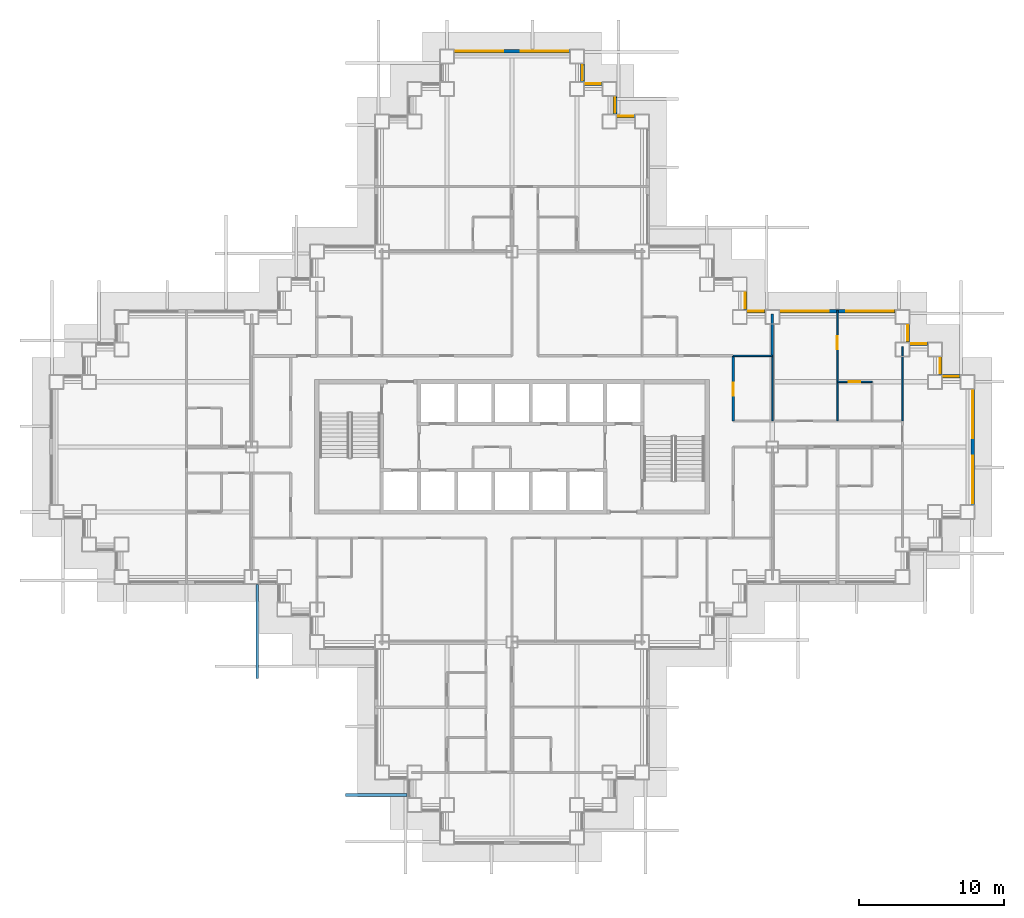
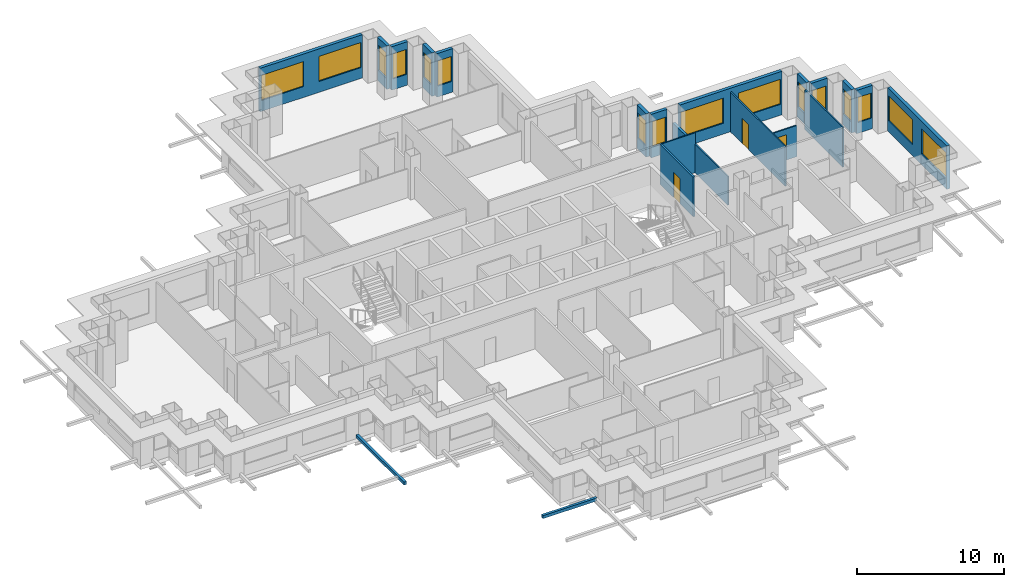
# One storey, part 9 of 15: 20 walls, 16 windows, 3 doors, 2 discrete accessories, 19 openings.
"""IFC4 building model written with IfcOpenShell, lengths in metres."""

from ifc_helpers import new_model, si_unit, direction, frame, frame_2d, origin, origin_2d, place, context, subcontext, project, spatial, rectangle, extrude, material, layer, layer_set, type_object, element, fill, save


model = new_model("IFC4")

# Units and contexts
model_context = context("Model", 3, precision=1e-05, world=origin(), true_north=direction((0.0, 1.0)))
body_context = subcontext(model_context, "Body", "Model", "MODEL_VIEW")
ifc_project = project(units=[si_unit("LENGTHUNIT", "METRE"), si_unit("AREAUNIT", "SQUARE_METRE"), si_unit("VOLUMEUNIT", "CUBIC_METRE"), si_unit("PLANEANGLEUNIT", "RADIAN"), si_unit("MASSUNIT", "GRAM", prefix="KILO")], contexts=[model_context])

# Site, building, storey
site_placement = place(None, origin())
site = spatial("IfcSite", under=ifc_project, at=site_placement, CompositionType="ELEMENT")
building_placement = place(site_placement, origin())
building = spatial("IfcBuilding", under=site, at=building_placement, Name="Caravel Reach Hotel and Residences", CompositionType="ELEMENT")
storey_placement = place(building_placement, frame((0.0, 0.0, 60.0)))
storey = spatial("IfcBuildingStorey", under=building, at=storey_placement, Name="L13", CompositionType="ELEMENT", Elevation=60.0)

# Wall, opening, door
ifc_material_1 = material(Name="Gypsum board on steel stud", Category="steel")
ifc_layer_1 = layer(ifc_material_1, 0.10009765625)
ifc_layer_set_1 = layer_set([ifc_layer_1], Name="Bathroom pod wall 100 mm")
wall_type_1 = type_object("IfcWallType", Name="Bathroom pod wall 100 mm", PredefinedType="PARTITIONING", material=ifc_layer_set_1)
wall_1_placement = place(storey_placement, frame((54.0, 31.5, 0.0), z_axis=(0.0, 0.0, 1.0), x_axis=(1.0, 0.0, 0.0)))
wall_1 = element("IfcWall", 1, at=wall_1_placement, inside=storey, type_object=wall_type_1, Name="L13 wall w081", PredefinedType="PARTITIONING", context=body_context, shape_type="SweptSolid", body=[
    extrude(rectangle(XDim=2.39990234375, YDim=0.10009765625, at=frame_2d((1.199951171875, 0.0))), origin(), (0.0, 0.0, 1.0), 2.580078125),
])
opening_1_placement = place(wall_1_placement, frame((0.800048828125, 0.0, 0.0)))
opening_1 = element("IfcOpeningElement", 2, at=opening_1_placement, cuts=wall_1, Name="Opening D13-025", PredefinedType="OPENING", context=body_context, shape_type="SweptSolid", body=[
    extrude(rectangle(XDim=0.800048828125, YDim=2.10009765625, at=frame_2d((0.39990234375, 1.050048828125))), frame((0.0, 0.06005859375, 0.0), z_axis=(0.0, -1.0, 0.0), x_axis=(1.0, 0.0, 0.0)), (0.0, 0.0, 1.0), 0.1201171875),
])
ifc_material_2 = material(Name="Timber and steel door leaf", Category="steel")
door_type_1 = type_object("IfcDoorType", Name="Bathroom door 800 x 2100", OperationType="SINGLE_SWING_LEFT", PredefinedType="DOOR", material=ifc_material_2)
door_1_placement = place(opening_1_placement, origin())
door_1 = element("IfcDoor", 3, at=door_1_placement, inside=storey, type_object=door_type_1, Name="door D13-025", OperationType="SINGLE_SWING_LEFT", OverallHeight=2.10009765625, OverallWidth=0.800048828125, PredefinedType="DOOR", context=body_context, shape_type="SweptSolid", body=[
    extrude(rectangle(XDim=0.800048828125, YDim=2.10009765625, at=frame_2d((0.39990234375, 1.050048828125))), frame((0.0, 0.02490234375, 0.0), z_axis=(0.0, -1.0, 0.0), x_axis=(1.0, 0.0, 0.0)), (0.0, 0.0, 1.0), 0.050048828125),
])
fill(opening_1, door_1)

ifc_material_3 = material(Name="Gypsum board on steel stud, fire-rated", Category="steel")
ifc_layer_2 = layer(ifc_material_3, 0.14990234375)
ifc_layer_set_2 = layer_set([ifc_layer_2], Name="Corridor wall 150 mm EI 60")
wall_type_2 = type_object("IfcWallType", Name="Corridor wall 150 mm EI 60", PredefinedType="PARTITIONING", material=ifc_layer_set_2)
wall_2_placement = place(storey_placement, frame((46.800048828125, 28.800048828125, 0.0), z_axis=(0.0, 0.0, 1.0), x_axis=(0.0, 1.0, 0.0)))
wall_2 = element("IfcWall", 4, at=wall_2_placement, inside=storey, type_object=wall_type_2, Name="L13 wall w036", PredefinedType="PARTITIONING", context=body_context, shape_type="SweptSolid", body=[
    extrude(rectangle(XDim=4.5, YDim=0.14990234375, at=frame_2d((2.25, 0.0))), origin(), (0.0, 0.0, 1.0), 3.300048828125),
])
opening_2_placement = place(wall_2_placement, frame((1.75, 0.0, 0.0)))
opening_2 = element("IfcOpeningElement", 5, at=opening_2_placement, cuts=wall_2, Name="Opening D13-060", PredefinedType="OPENING", context=body_context, shape_type="SweptSolid", body=[
    extrude(rectangle(XDim=0.89990234375, YDim=2.10009765625, at=frame_2d((0.449951171875, 1.050048828125))), frame((0.0, 0.0849609375, 0.0), z_axis=(0.0, -1.0, 0.0), x_axis=(1.0, 0.0, 0.0)), (0.0, 0.0, 1.0), 0.169921875),
])
ifc_material_4 = material(Name="Timber and steel door leaf", Category="steel")
door_type_2 = type_object("IfcDoorType", Name="Door 900 x 2100 timber", OperationType="SINGLE_SWING_LEFT", PredefinedType="DOOR", material=ifc_material_4)
door_2_placement = place(opening_2_placement, origin())
door_2 = element("IfcDoor", 6, at=door_2_placement, inside=storey, type_object=door_type_2, Name="door D13-060", OperationType="SINGLE_SWING_LEFT", OverallHeight=2.10009765625, OverallWidth=0.89990234375, PredefinedType="DOOR", context=body_context, shape_type="SweptSolid", body=[
    extrude(rectangle(XDim=0.89990234375, YDim=2.10009765625, at=frame_2d((0.449951171875, 1.050048828125))), frame((0.0, 0.02490234375, 0.0), z_axis=(0.0, -1.0, 0.0), x_axis=(1.0, 0.0, 0.0)), (0.0, 0.0, 1.0), 0.050048828125),
])
fill(opening_2, door_2)

# Wall, openings, windows
ifc_material_5 = material(Name="Insulated rainscreen wall, aluminium cladding", Category="aluminium")
ifc_layer_3 = layer(ifc_material_5, 0.25)
ifc_layer_set_3 = layer_set([ifc_layer_3], Name="EW1 Tower rainscreen wall")
wall_type_3 = type_object("IfcWallType", Name="EW1 Tower rainscreen wall", PredefinedType="SOLIDWALL", material=ifc_layer_set_3)
wall_3_placement = place(storey_placement, frame((63.375, 23.0, 0.0), z_axis=(0.0, 0.0, 1.0), x_axis=(0.0, 1.0, 0.0)))
wall_3 = element("IfcWall", 7, at=wall_3_placement, inside=storey, type_object=wall_type_3, Name="External wall L13 E20.1", PredefinedType="SOLIDWALL", context=body_context, shape_type="SweptSolid", body=[
    extrude(rectangle(XDim=8.0, YDim=0.25, at=frame_2d((4.0, 0.0))), origin(), (0.0, 0.0, 1.0), 3.60009765625),
])
opening_3_placement = place(wall_3_placement, frame((0.10009765625, 0.0, 0.89990234375)))
opening_3 = element("IfcOpeningElement", 8, at=opening_3_placement, cuts=wall_3, Name="Opening WN4", PredefinedType="OPENING", context=body_context, shape_type="SweptSolid", body=[
    extrude(rectangle(XDim=3.300048828125, YDim=2.080078125, at=frame_2d((1.64990234375, 1.0400390625))), frame((0.0, 0.135009765625, 0.0), z_axis=(0.0, -1.0, 0.0), x_axis=(1.0, 0.0, 0.0)), (0.0, 0.0, 1.0), 0.27001953125),
])
opening_4_placement = place(wall_3_placement, frame((4.60009765625, 0.0, 0.89990234375)))
opening_4 = element("IfcOpeningElement", 9, at=opening_4_placement, cuts=wall_3, Name="Opening WN4", PredefinedType="OPENING", context=body_context, shape_type="SweptSolid", body=[
    extrude(rectangle(XDim=3.300048828125, YDim=2.080078125, at=frame_2d((1.64990234375, 1.0400390625))), frame((0.0, 0.135009765625, 0.0), z_axis=(0.0, -1.0, 0.0), x_axis=(1.0, 0.0, 0.0)), (0.0, 0.0, 1.0), 0.27001953125),
])
ifc_material_6 = material(Name="Dark low-e glazing in black aluminium frame", Category="aluminium")
window_type_1 = type_object("IfcWindowType", Name="Hotel guest room window 3300 x 2080", PartitioningType="SINGLE_PANEL", PredefinedType="WINDOW", material=ifc_material_6)
window_1_placement = place(opening_3_placement, origin())
window_1 = element("IfcWindow", 10, at=window_1_placement, inside=storey, type_object=window_type_1, Name="Window L13 E20.1.1", OverallHeight=2.080078125, OverallWidth=3.300048828125, PartitioningType="SINGLE_PANEL", PredefinedType="WINDOW", context=body_context, shape_type="SweptSolid", body=[
    extrude(rectangle(XDim=3.300048828125, YDim=2.080078125, at=frame_2d((1.64990234375, 1.0400390625))), frame((0.0, 0.030029296875, 0.0), z_axis=(0.0, -1.0, 0.0), x_axis=(1.0, 0.0, 0.0)), (0.0, 0.0, 1.0), 0.06005859375),
])
fill(opening_3, window_1)
window_2_placement = place(opening_4_placement, origin())
window_2 = element("IfcWindow", 11, at=window_2_placement, inside=storey, type_object=window_type_1, Name="Window L13 E20.1.2", OverallHeight=2.080078125, OverallWidth=3.300048828125, PartitioningType="SINGLE_PANEL", PredefinedType="WINDOW", context=body_context, shape_type="SweptSolid", body=[
    extrude(rectangle(XDim=3.300048828125, YDim=2.080078125, at=frame_2d((1.64990234375, 1.0400390625))), frame((0.0, 0.030029296875, 0.0), z_axis=(0.0, -1.0, 0.0), x_axis=(1.0, 0.0, 0.0)), (0.0, 0.0, 1.0), 0.06005859375),
])
fill(opening_4, window_2)

# Wall, opening, window
wall_4_placement = place(storey_placement, frame((62.5, 31.875, 0.0), z_axis=(0.0, 0.0, 1.0), x_axis=(-1.0, 0.0, 0.0)))
wall_4 = element("IfcWall", 12, at=wall_4_placement, inside=storey, type_object=wall_type_3, Name="External wall L13 N21.1", PredefinedType="SOLIDWALL", context=body_context, shape_type="SweptSolid", body=[
    extrude(rectangle(XDim=1.25, YDim=0.25, at=frame_2d((0.625, 0.0))), origin(), (0.0, 0.0, 1.0), 3.60009765625),
])
opening_5_placement = place(wall_4_placement, frame((0.10009765625, 0.0, 0.89990234375)))
opening_5 = element("IfcOpeningElement", 13, at=opening_5_placement, cuts=wall_4, Name="Opening WN3", PredefinedType="OPENING", context=body_context, shape_type="SweptSolid", body=[
    extrude(rectangle(XDim=1.050048828125, YDim=2.080078125, at=frame_2d((0.52490234375, 1.0400390625))), frame((0.0, 0.135009765625, 0.0), z_axis=(0.0, -1.0, 0.0), x_axis=(1.0, 0.0, 0.0)), (0.0, 0.0, 1.0), 0.27001953125),
])
ifc_material_7 = material(Name="Dark low-e glazing in black aluminium frame", Category="aluminium")
window_type_2 = type_object("IfcWindowType", Name="Hotel suite corner window 1050 x 2080", PartitioningType="SINGLE_PANEL", PredefinedType="WINDOW", material=ifc_material_7)
window_3_placement = place(opening_5_placement, origin())
window_3 = element("IfcWindow", 14, at=window_3_placement, inside=storey, type_object=window_type_2, Name="Window L13 N21.1.1", OverallHeight=2.080078125, OverallWidth=1.050048828125, PartitioningType="SINGLE_PANEL", PredefinedType="WINDOW", context=body_context, shape_type="SweptSolid", body=[
    extrude(rectangle(XDim=1.050048828125, YDim=2.080078125, at=frame_2d((0.52490234375, 1.0400390625))), frame((0.0, 0.030029296875, 0.0), z_axis=(0.0, -1.0, 0.0), x_axis=(1.0, 0.0, 0.0)), (0.0, 0.0, 1.0), 0.06005859375),
])
fill(opening_5, window_3)

wall_5_placement = place(storey_placement, frame((61.125, 32.0, 0.0), z_axis=(0.0, 0.0, 1.0), x_axis=(0.0, 1.0, 0.0)))
wall_5 = element("IfcWall", 15, at=wall_5_placement, inside=storey, type_object=wall_type_3, Name="External wall L13 E22.1", PredefinedType="SOLIDWALL", context=body_context, shape_type="SweptSolid", body=[
    extrude(rectangle(XDim=1.25, YDim=0.25, at=frame_2d((0.625, 0.0))), origin(), (0.0, 0.0, 1.0), 3.60009765625),
])
opening_6_placement = place(wall_5_placement, frame((0.10009765625, 0.0, 0.89990234375)))
opening_6 = element("IfcOpeningElement", 16, at=opening_6_placement, cuts=wall_5, Name="Opening WN3", PredefinedType="OPENING", context=body_context, shape_type="SweptSolid", body=[
    extrude(rectangle(XDim=1.050048828125, YDim=2.080078125, at=frame_2d((0.52490234375, 1.0400390625))), frame((0.0, 0.135009765625, 0.0), z_axis=(0.0, -1.0, 0.0), x_axis=(1.0, 0.0, 0.0)), (0.0, 0.0, 1.0), 0.27001953125),
])
window_4_placement = place(opening_6_placement, origin())
window_4 = element("IfcWindow", 17, at=window_4_placement, inside=storey, type_object=window_type_2, Name="Window L13 E22.1.1", OverallHeight=2.080078125, OverallWidth=1.050048828125, PartitioningType="SINGLE_PANEL", PredefinedType="WINDOW", context=body_context, shape_type="SweptSolid", body=[
    extrude(rectangle(XDim=1.050048828125, YDim=2.080078125, at=frame_2d((0.52490234375, 1.0400390625))), frame((0.0, 0.030029296875, 0.0), z_axis=(0.0, -1.0, 0.0), x_axis=(1.0, 0.0, 0.0)), (0.0, 0.0, 1.0), 0.06005859375),
])
fill(opening_6, window_4)

wall_6_placement = place(storey_placement, frame((60.25, 34.125, 0.0), z_axis=(0.0, 0.0, 1.0), x_axis=(-1.0, 0.0, 0.0)))
wall_6 = element("IfcWall", 18, at=wall_6_placement, inside=storey, type_object=wall_type_3, Name="External wall L13 N23.1", PredefinedType="SOLIDWALL", context=body_context, shape_type="SweptSolid", body=[
    extrude(rectangle(XDim=1.25, YDim=0.25, at=frame_2d((0.625, 0.0))), origin(), (0.0, 0.0, 1.0), 3.60009765625),
])
opening_7_placement = place(wall_6_placement, frame((0.10009765625, 0.0, 0.89990234375)))
opening_7 = element("IfcOpeningElement", 19, at=opening_7_placement, cuts=wall_6, Name="Opening WN3", PredefinedType="OPENING", context=body_context, shape_type="SweptSolid", body=[
    extrude(rectangle(XDim=1.050048828125, YDim=2.080078125, at=frame_2d((0.52490234375, 1.0400390625))), frame((0.0, 0.135009765625, 0.0), z_axis=(0.0, -1.0, 0.0), x_axis=(1.0, 0.0, 0.0)), (0.0, 0.0, 1.0), 0.27001953125),
])
window_5_placement = place(opening_7_placement, origin())
window_5 = element("IfcWindow", 20, at=window_5_placement, inside=storey, type_object=window_type_2, Name="Window L13 N23.1.1", OverallHeight=2.080078125, OverallWidth=1.050048828125, PartitioningType="SINGLE_PANEL", PredefinedType="WINDOW", context=body_context, shape_type="SweptSolid", body=[
    extrude(rectangle(XDim=1.050048828125, YDim=2.080078125, at=frame_2d((0.52490234375, 1.0400390625))), frame((0.0, 0.030029296875, 0.0), z_axis=(0.0, -1.0, 0.0), x_axis=(1.0, 0.0, 0.0)), (0.0, 0.0, 1.0), 0.06005859375),
])
fill(opening_7, window_5)

wall_7_placement = place(storey_placement, frame((58.875, 34.25, 0.0), z_axis=(0.0, 0.0, 1.0), x_axis=(0.0, 1.0, 0.0)))
wall_7 = element("IfcWall", 21, at=wall_7_placement, inside=storey, type_object=wall_type_3, Name="External wall L13 E24.1", PredefinedType="SOLIDWALL", context=body_context, shape_type="SweptSolid", body=[
    extrude(rectangle(XDim=1.25, YDim=0.25, at=frame_2d((0.625, 0.0))), origin(), (0.0, 0.0, 1.0), 3.60009765625),
])
opening_8_placement = place(wall_7_placement, frame((0.10009765625, 0.0, 0.89990234375)))
opening_8 = element("IfcOpeningElement", 22, at=opening_8_placement, cuts=wall_7, Name="Opening WN3", PredefinedType="OPENING", context=body_context, shape_type="SweptSolid", body=[
    extrude(rectangle(XDim=1.050048828125, YDim=2.080078125, at=frame_2d((0.52490234375, 1.0400390625))), frame((0.0, 0.135009765625, 0.0), z_axis=(0.0, -1.0, 0.0), x_axis=(1.0, 0.0, 0.0)), (0.0, 0.0, 1.0), 0.27001953125),
])
window_6_placement = place(opening_8_placement, origin())
window_6 = element("IfcWindow", 23, at=window_6_placement, inside=storey, type_object=window_type_2, Name="Window L13 E24.1.1", OverallHeight=2.080078125, OverallWidth=1.050048828125, PartitioningType="SINGLE_PANEL", PredefinedType="WINDOW", context=body_context, shape_type="SweptSolid", body=[
    extrude(rectangle(XDim=1.050048828125, YDim=2.080078125, at=frame_2d((0.52490234375, 1.0400390625))), frame((0.0, 0.030029296875, 0.0), z_axis=(0.0, -1.0, 0.0), x_axis=(1.0, 0.0, 0.0)), (0.0, 0.0, 1.0), 0.06005859375),
])
fill(opening_8, window_6)

# Wall, openings, windows
wall_8_placement = place(storey_placement, frame((58.0, 36.375, 0.0), z_axis=(0.0, 0.0, 1.0), x_axis=(-1.0, 0.0, 0.0)))
wall_8 = element("IfcWall", 24, at=wall_8_placement, inside=storey, type_object=wall_type_3, Name="External wall L13 N25.1", PredefinedType="SOLIDWALL", context=body_context, shape_type="SweptSolid", body=[
    extrude(rectangle(XDim=8.0, YDim=0.25, at=frame_2d((4.0, 0.0))), origin(), (0.0, 0.0, 1.0), 3.60009765625),
])
opening_9_placement = place(wall_8_placement, frame((0.10009765625, 0.0, 0.89990234375)))
opening_9 = element("IfcOpeningElement", 25, at=opening_9_placement, cuts=wall_8, Name="Opening WN4", PredefinedType="OPENING", context=body_context, shape_type="SweptSolid", body=[
    extrude(rectangle(XDim=3.300048828125, YDim=2.080078125, at=frame_2d((1.64990234375, 1.0400390625))), frame((0.0, 0.135009765625, 0.0), z_axis=(0.0, -1.0, 0.0), x_axis=(1.0, 0.0, 0.0)), (0.0, 0.0, 1.0), 0.27001953125),
])
opening_10_placement = place(wall_8_placement, frame((4.60009765625, 0.0, 0.89990234375)))
opening_10 = element("IfcOpeningElement", 26, at=opening_10_placement, cuts=wall_8, Name="Opening WN4", PredefinedType="OPENING", context=body_context, shape_type="SweptSolid", body=[
    extrude(rectangle(XDim=3.300048828125, YDim=2.080078125, at=frame_2d((1.64990234375, 1.0400390625))), frame((0.0, 0.135009765625, 0.0), z_axis=(0.0, -1.0, 0.0), x_axis=(1.0, 0.0, 0.0)), (0.0, 0.0, 1.0), 0.27001953125),
])
window_7_placement = place(opening_9_placement, origin())
window_7 = element("IfcWindow", 27, at=window_7_placement, inside=storey, type_object=window_type_1, Name="Window L13 N25.1.1", OverallHeight=2.080078125, OverallWidth=3.300048828125, PartitioningType="SINGLE_PANEL", PredefinedType="WINDOW", context=body_context, shape_type="SweptSolid", body=[
    extrude(rectangle(XDim=3.300048828125, YDim=2.080078125, at=frame_2d((1.64990234375, 1.0400390625))), frame((0.0, 0.030029296875, 0.0), z_axis=(0.0, -1.0, 0.0), x_axis=(1.0, 0.0, 0.0)), (0.0, 0.0, 1.0), 0.06005859375),
])
fill(opening_9, window_7)
window_8_placement = place(opening_10_placement, origin())
window_8 = element("IfcWindow", 28, at=window_8_placement, inside=storey, type_object=window_type_1, Name="Window L13 N25.1.2", OverallHeight=2.080078125, OverallWidth=3.300048828125, PartitioningType="SINGLE_PANEL", PredefinedType="WINDOW", context=body_context, shape_type="SweptSolid", body=[
    extrude(rectangle(XDim=3.300048828125, YDim=2.080078125, at=frame_2d((1.64990234375, 1.0400390625))), frame((0.0, 0.030029296875, 0.0), z_axis=(0.0, -1.0, 0.0), x_axis=(1.0, 0.0, 0.0)), (0.0, 0.0, 1.0), 0.06005859375),
])
fill(opening_10, window_8)

# Wall, opening, window
wall_9_placement = place(storey_placement, frame((49.0, 36.375, 0.0), z_axis=(0.0, 0.0, 1.0), x_axis=(-1.0, 0.0, 0.0)))
wall_9 = element("IfcWall", 29, at=wall_9_placement, inside=storey, type_object=wall_type_3, Name="External wall L13 N25.2", PredefinedType="SOLIDWALL", context=body_context, shape_type="SweptSolid", body=[
    extrude(rectangle(XDim=1.25, YDim=0.25, at=frame_2d((0.625, 0.0))), origin(), (0.0, 0.0, 1.0), 3.60009765625),
])
opening_11_placement = place(wall_9_placement, frame((0.10009765625, 0.0, 0.89990234375)))
opening_11 = element("IfcOpeningElement", 30, at=opening_11_placement, cuts=wall_9, Name="Opening WN3", PredefinedType="OPENING", context=body_context, shape_type="SweptSolid", body=[
    extrude(rectangle(XDim=1.050048828125, YDim=2.080078125, at=frame_2d((0.52490234375, 1.0400390625))), frame((0.0, 0.135009765625, 0.0), z_axis=(0.0, -1.0, 0.0), x_axis=(1.0, 0.0, 0.0)), (0.0, 0.0, 1.0), 0.27001953125),
])
window_9_placement = place(opening_11_placement, origin())
window_9 = element("IfcWindow", 31, at=window_9_placement, inside=storey, type_object=window_type_2, Name="Window L13 N25.2.1", OverallHeight=2.080078125, OverallWidth=1.050048828125, PartitioningType="SINGLE_PANEL", PredefinedType="WINDOW", context=body_context, shape_type="SweptSolid", body=[
    extrude(rectangle(XDim=1.050048828125, YDim=2.080078125, at=frame_2d((0.52490234375, 1.0400390625))), frame((0.0, 0.030029296875, 0.0), z_axis=(0.0, -1.0, 0.0), x_axis=(1.0, 0.0, 0.0)), (0.0, 0.0, 1.0), 0.06005859375),
])
fill(opening_11, window_9)

wall_10_placement = place(storey_placement, frame((47.625, 36.5, 0.0), z_axis=(0.0, 0.0, 1.0), x_axis=(0.0, 1.0, 0.0)))
wall_10 = element("IfcWall", 32, at=wall_10_placement, inside=storey, type_object=wall_type_3, Name="External wall L13 E26.1", PredefinedType="SOLIDWALL", context=body_context, shape_type="SweptSolid", body=[
    extrude(rectangle(XDim=1.25, YDim=0.25, at=frame_2d((0.625, 0.0))), origin(), (0.0, 0.0, 1.0), 3.60009765625),
])
opening_12_placement = place(wall_10_placement, frame((0.10009765625, 0.0, 0.89990234375)))
opening_12 = element("IfcOpeningElement", 33, at=opening_12_placement, cuts=wall_10, Name="Opening WN3", PredefinedType="OPENING", context=body_context, shape_type="SweptSolid", body=[
    extrude(rectangle(XDim=1.050048828125, YDim=2.080078125, at=frame_2d((0.52490234375, 1.0400390625))), frame((0.0, 0.135009765625, 0.0), z_axis=(0.0, -1.0, 0.0), x_axis=(1.0, 0.0, 0.0)), (0.0, 0.0, 1.0), 0.27001953125),
])
window_10_placement = place(opening_12_placement, origin())
window_10 = element("IfcWindow", 34, at=window_10_placement, inside=storey, type_object=window_type_2, Name="Window L13 E26.1.1", OverallHeight=2.080078125, OverallWidth=1.050048828125, PartitioningType="SINGLE_PANEL", PredefinedType="WINDOW", context=body_context, shape_type="SweptSolid", body=[
    extrude(rectangle(XDim=1.050048828125, YDim=2.080078125, at=frame_2d((0.52490234375, 1.0400390625))), frame((0.0, 0.030029296875, 0.0), z_axis=(0.0, -1.0, 0.0), x_axis=(1.0, 0.0, 0.0)), (0.0, 0.0, 1.0), 0.06005859375),
])
fill(opening_12, window_10)

wall_11_placement = place(storey_placement, frame((40.0, 49.875, 0.0), z_axis=(0.0, 0.0, 1.0), x_axis=(-1.0, 0.0, 0.0)))
wall_11 = element("IfcWall", 35, at=wall_11_placement, inside=storey, type_object=wall_type_3, Name="External wall L13 N31.1", PredefinedType="SOLIDWALL", context=body_context, shape_type="SweptSolid", body=[
    extrude(rectangle(XDim=1.25, YDim=0.25, at=frame_2d((0.625, 0.0))), origin(), (0.0, 0.0, 1.0), 3.60009765625),
])
opening_13_placement = place(wall_11_placement, frame((0.10009765625, 0.0, 0.89990234375)))
opening_13 = element("IfcOpeningElement", 36, at=opening_13_placement, cuts=wall_11, Name="Opening WN3", PredefinedType="OPENING", context=body_context, shape_type="SweptSolid", body=[
    extrude(rectangle(XDim=1.050048828125, YDim=2.080078125, at=frame_2d((0.52490234375, 1.0400390625))), frame((0.0, 0.135009765625, 0.0), z_axis=(0.0, -1.0, 0.0), x_axis=(1.0, 0.0, 0.0)), (0.0, 0.0, 1.0), 0.27001953125),
])
window_11_placement = place(opening_13_placement, origin())
window_11 = element("IfcWindow", 37, at=window_11_placement, inside=storey, type_object=window_type_2, Name="Window L13 N31.1.1", OverallHeight=2.080078125, OverallWidth=1.050048828125, PartitioningType="SINGLE_PANEL", PredefinedType="WINDOW", context=body_context, shape_type="SweptSolid", body=[
    extrude(rectangle(XDim=1.050048828125, YDim=2.080078125, at=frame_2d((0.52490234375, 1.0400390625))), frame((0.0, 0.030029296875, 0.0), z_axis=(0.0, -1.0, 0.0), x_axis=(1.0, 0.0, 0.0)), (0.0, 0.0, 1.0), 0.06005859375),
])
fill(opening_13, window_11)

wall_12_placement = place(storey_placement, frame((38.625, 50.0, 0.0), z_axis=(0.0, 0.0, 1.0), x_axis=(0.0, 1.0, 0.0)))
wall_12 = element("IfcWall", 38, at=wall_12_placement, inside=storey, type_object=wall_type_3, Name="External wall L13 E32.1", PredefinedType="SOLIDWALL", context=body_context, shape_type="SweptSolid", body=[
    extrude(rectangle(XDim=1.25, YDim=0.25, at=frame_2d((0.625, 0.0))), origin(), (0.0, 0.0, 1.0), 3.60009765625),
])
opening_14_placement = place(wall_12_placement, frame((0.10009765625, 0.0, 0.89990234375)))
opening_14 = element("IfcOpeningElement", 39, at=opening_14_placement, cuts=wall_12, Name="Opening WN3", PredefinedType="OPENING", context=body_context, shape_type="SweptSolid", body=[
    extrude(rectangle(XDim=1.050048828125, YDim=2.080078125, at=frame_2d((0.52490234375, 1.0400390625))), frame((0.0, 0.135009765625, 0.0), z_axis=(0.0, -1.0, 0.0), x_axis=(1.0, 0.0, 0.0)), (0.0, 0.0, 1.0), 0.27001953125),
])
window_12_placement = place(opening_14_placement, origin())
window_12 = element("IfcWindow", 40, at=window_12_placement, inside=storey, type_object=window_type_2, Name="Window L13 E32.1.1", OverallHeight=2.080078125, OverallWidth=1.050048828125, PartitioningType="SINGLE_PANEL", PredefinedType="WINDOW", context=body_context, shape_type="SweptSolid", body=[
    extrude(rectangle(XDim=1.050048828125, YDim=2.080078125, at=frame_2d((0.52490234375, 1.0400390625))), frame((0.0, 0.030029296875, 0.0), z_axis=(0.0, -1.0, 0.0), x_axis=(1.0, 0.0, 0.0)), (0.0, 0.0, 1.0), 0.06005859375),
])
fill(opening_14, window_12)

wall_13_placement = place(storey_placement, frame((37.75, 52.125, 0.0), z_axis=(0.0, 0.0, 1.0), x_axis=(-1.0, 0.0, 0.0)))
wall_13 = element("IfcWall", 41, at=wall_13_placement, inside=storey, type_object=wall_type_3, Name="External wall L13 N33.1", PredefinedType="SOLIDWALL", context=body_context, shape_type="SweptSolid", body=[
    extrude(rectangle(XDim=1.25, YDim=0.25, at=frame_2d((0.625, 0.0))), origin(), (0.0, 0.0, 1.0), 3.60009765625),
])
opening_15_placement = place(wall_13_placement, frame((0.10009765625, 0.0, 0.89990234375)))
opening_15 = element("IfcOpeningElement", 42, at=opening_15_placement, cuts=wall_13, Name="Opening WN3", PredefinedType="OPENING", context=body_context, shape_type="SweptSolid", body=[
    extrude(rectangle(XDim=1.050048828125, YDim=2.080078125, at=frame_2d((0.52490234375, 1.0400390625))), frame((0.0, 0.135009765625, 0.0), z_axis=(0.0, -1.0, 0.0), x_axis=(1.0, 0.0, 0.0)), (0.0, 0.0, 1.0), 0.27001953125),
])
window_13_placement = place(opening_15_placement, origin())
window_13 = element("IfcWindow", 43, at=window_13_placement, inside=storey, type_object=window_type_2, Name="Window L13 N33.1.1", OverallHeight=2.080078125, OverallWidth=1.050048828125, PartitioningType="SINGLE_PANEL", PredefinedType="WINDOW", context=body_context, shape_type="SweptSolid", body=[
    extrude(rectangle(XDim=1.050048828125, YDim=2.080078125, at=frame_2d((0.52490234375, 1.0400390625))), frame((0.0, 0.030029296875, 0.0), z_axis=(0.0, -1.0, 0.0), x_axis=(1.0, 0.0, 0.0)), (0.0, 0.0, 1.0), 0.06005859375),
])
fill(opening_15, window_13)

wall_14_placement = place(storey_placement, frame((36.375, 52.25, 0.0), z_axis=(0.0, 0.0, 1.0), x_axis=(0.0, 1.0, 0.0)))
wall_14 = element("IfcWall", 44, at=wall_14_placement, inside=storey, type_object=wall_type_3, Name="External wall L13 E34.1", PredefinedType="SOLIDWALL", context=body_context, shape_type="SweptSolid", body=[
    extrude(rectangle(XDim=1.25, YDim=0.25, at=frame_2d((0.625, 0.0))), origin(), (0.0, 0.0, 1.0), 3.60009765625),
])
opening_16_placement = place(wall_14_placement, frame((0.10009765625, 0.0, 0.89990234375)))
opening_16 = element("IfcOpeningElement", 45, at=opening_16_placement, cuts=wall_14, Name="Opening WN3", PredefinedType="OPENING", context=body_context, shape_type="SweptSolid", body=[
    extrude(rectangle(XDim=1.050048828125, YDim=2.080078125, at=frame_2d((0.52490234375, 1.0400390625))), frame((0.0, 0.135009765625, 0.0), z_axis=(0.0, -1.0, 0.0), x_axis=(1.0, 0.0, 0.0)), (0.0, 0.0, 1.0), 0.27001953125),
])
window_14_placement = place(opening_16_placement, origin())
window_14 = element("IfcWindow", 46, at=window_14_placement, inside=storey, type_object=window_type_2, Name="Window L13 E34.1.1", OverallHeight=2.080078125, OverallWidth=1.050048828125, PartitioningType="SINGLE_PANEL", PredefinedType="WINDOW", context=body_context, shape_type="SweptSolid", body=[
    extrude(rectangle(XDim=1.050048828125, YDim=2.080078125, at=frame_2d((0.52490234375, 1.0400390625))), frame((0.0, 0.030029296875, 0.0), z_axis=(0.0, -1.0, 0.0), x_axis=(1.0, 0.0, 0.0)), (0.0, 0.0, 1.0), 0.06005859375),
])
fill(opening_16, window_14)

# Wall, openings, windows
wall_15_placement = place(storey_placement, frame((35.5, 54.375, 0.0), z_axis=(0.0, 0.0, 1.0), x_axis=(-1.0, 0.0, 0.0)))
wall_15 = element("IfcWall", 47, at=wall_15_placement, inside=storey, type_object=wall_type_3, Name="External wall L13 N35.1", PredefinedType="SOLIDWALL", context=body_context, shape_type="SweptSolid", body=[
    extrude(rectangle(XDim=8.0, YDim=0.25, at=frame_2d((4.0, 0.0))), origin(), (0.0, 0.0, 1.0), 3.60009765625),
])
opening_17_placement = place(wall_15_placement, frame((0.10009765625, 0.0, 0.89990234375)))
opening_17 = element("IfcOpeningElement", 48, at=opening_17_placement, cuts=wall_15, Name="Opening WN4", PredefinedType="OPENING", context=body_context, shape_type="SweptSolid", body=[
    extrude(rectangle(XDim=3.300048828125, YDim=2.080078125, at=frame_2d((1.64990234375, 1.0400390625))), frame((0.0, 0.135009765625, 0.0), z_axis=(0.0, -1.0, 0.0), x_axis=(1.0, 0.0, 0.0)), (0.0, 0.0, 1.0), 0.27001953125),
])
opening_18_placement = place(wall_15_placement, frame((4.60009765625, 0.0, 0.89990234375)))
opening_18 = element("IfcOpeningElement", 49, at=opening_18_placement, cuts=wall_15, Name="Opening WN4", PredefinedType="OPENING", context=body_context, shape_type="SweptSolid", body=[
    extrude(rectangle(XDim=3.300048828125, YDim=2.080078125, at=frame_2d((1.64990234375, 1.0400390625))), frame((0.0, 0.135009765625, 0.0), z_axis=(0.0, -1.0, 0.0), x_axis=(1.0, 0.0, 0.0)), (0.0, 0.0, 1.0), 0.27001953125),
])
window_15_placement = place(opening_17_placement, origin())
window_15 = element("IfcWindow", 50, at=window_15_placement, inside=storey, type_object=window_type_1, Name="Window L13 N35.1.1", OverallHeight=2.080078125, OverallWidth=3.300048828125, PartitioningType="SINGLE_PANEL", PredefinedType="WINDOW", context=body_context, shape_type="SweptSolid", body=[
    extrude(rectangle(XDim=3.300048828125, YDim=2.080078125, at=frame_2d((1.64990234375, 1.0400390625))), frame((0.0, 0.030029296875, 0.0), z_axis=(0.0, -1.0, 0.0), x_axis=(1.0, 0.0, 0.0)), (0.0, 0.0, 1.0), 0.06005859375),
])
fill(opening_17, window_15)
window_16_placement = place(opening_18_placement, origin())
window_16 = element("IfcWindow", 51, at=window_16_placement, inside=storey, type_object=window_type_1, Name="Window L13 N35.1.2", OverallHeight=2.080078125, OverallWidth=3.300048828125, PartitioningType="SINGLE_PANEL", PredefinedType="WINDOW", context=body_context, shape_type="SweptSolid", body=[
    extrude(rectangle(XDim=3.300048828125, YDim=2.080078125, at=frame_2d((1.64990234375, 1.0400390625))), frame((0.0, 0.030029296875, 0.0), z_axis=(0.0, -1.0, 0.0), x_axis=(1.0, 0.0, 0.0)), (0.0, 0.0, 1.0), 0.06005859375),
])
fill(opening_18, window_16)

# Walls
ifc_material_8 = material(Name="Gypsum board on steel stud", Category="steel")
ifc_layer_4 = layer(ifc_material_8, 0.10009765625)
ifc_layer_set_4 = layer_set([ifc_layer_4], Name="Partition 100 mm")
wall_type_4 = type_object("IfcWallType", Name="Partition 100 mm", PredefinedType="PARTITIONING", material=ifc_layer_set_4)
wall_16_placement = place(storey_placement, frame((46.800048828125, 33.300048828125, 0.0), z_axis=(0.0, 0.0, 1.0), x_axis=(1.0, 0.0, 0.0)))
element("IfcWall", 52, at=wall_16_placement, inside=storey, type_object=wall_type_4, Name="L13 wall w045", PredefinedType="PARTITIONING", context=body_context, shape_type="SweptSolid", body=[
    extrude(rectangle(XDim=2.699951171875, YDim=0.10009765625, at=frame_2d((1.35009765625, 0.0))), origin(), (0.0, 0.0, 1.0), 3.300048828125),
])
wall_17_placement = place(storey_placement, frame((49.5, 28.800048828125, 0.0), z_axis=(0.0, 0.0, 1.0), x_axis=(0.0, 1.0, 0.0)))
element("IfcWall", 53, at=wall_17_placement, inside=storey, type_object=wall_type_4, Name="L13 wall w065", PredefinedType="PARTITIONING", context=body_context, shape_type="SweptSolid", body=[
    extrude(rectangle(XDim=4.5, YDim=0.10009765625, at=frame_2d((2.25, 0.0))), origin(), (0.0, 0.0, 1.0), 2.3798828125),
])

# Wall, opening, door
wall_18_placement = place(storey_placement, frame((54.0, 28.800048828125, 0.0), z_axis=(0.0, 0.0, 1.0), x_axis=(0.0, 1.0, 0.0)))
wall_18 = element("IfcWall", 54, at=wall_18_placement, inside=storey, type_object=wall_type_4, Name="L13 wall w066", PredefinedType="PARTITIONING", context=body_context, shape_type="SweptSolid", body=[
    extrude(rectangle(XDim=7.639892578125, YDim=0.10009765625, at=frame_2d((3.81982421875, 0.0))), origin(), (0.0, 0.0, 1.0), 3.300048828125),
])
opening_19_placement = place(wall_18_placement, frame((4.949951171875, 0.0, 0.0)))
opening_19 = element("IfcOpeningElement", 55, at=opening_19_placement, cuts=wall_18, Name="Opening D13-024", PredefinedType="OPENING", context=body_context, shape_type="SweptSolid", body=[
    extrude(rectangle(XDim=0.89990234375, YDim=2.10009765625, at=frame_2d((0.449951171875, 1.050048828125))), frame((0.0, 0.06005859375, 0.0), z_axis=(0.0, -1.0, 0.0), x_axis=(1.0, 0.0, 0.0)), (0.0, 0.0, 1.0), 0.1201171875),
])
door_3_placement = place(opening_19_placement, origin())
door_3 = element("IfcDoor", 56, at=door_3_placement, inside=storey, type_object=door_type_2, Name="door D13-024", OperationType="SINGLE_SWING_RIGHT", OverallHeight=2.10009765625, OverallWidth=0.89990234375, PredefinedType="DOOR", context=body_context, shape_type="SweptSolid", body=[
    extrude(rectangle(XDim=0.89990234375, YDim=2.10009765625, at=frame_2d((0.449951171875, 1.050048828125))), frame((0.0, 0.02490234375, 0.0), z_axis=(0.0, -1.0, 0.0), x_axis=(1.0, 0.0, 0.0)), (0.0, 0.0, 1.0), 0.050048828125),
])
fill(opening_19, door_3)

# Walls
wall_19_placement = place(storey_placement, frame((58.5, 28.800048828125, 0.0), z_axis=(0.0, 0.0, 1.0), x_axis=(0.0, 1.0, 0.0)))
element("IfcWall", 57, at=wall_19_placement, inside=storey, type_object=wall_type_4, Name="L13 wall w068", PredefinedType="PARTITIONING", context=body_context, shape_type="SweptSolid", body=[
    extrude(rectangle(XDim=5.139892578125, YDim=0.10009765625, at=frame_2d((2.56982421875, 0.0))), origin(), (0.0, 0.0, 1.0), 3.300048828125),
])
ifc_material_9 = material(Name="Autoclaved aerated block wall")
ifc_layer_5 = layer(ifc_material_9, 0.199951171875)
ifc_layer_set_5 = layer_set([ifc_layer_5], Name="Party wall 200 mm EI 60")
wall_type_5 = type_object("IfcWallType", Name="Party wall 200 mm EI 60", PredefinedType="PARTITIONING", material=ifc_layer_set_5)
wall_20_placement = place(storey_placement, frame((49.5, 33.300048828125, 0.0), z_axis=(0.0, 0.0, 1.0), x_axis=(0.0, 1.0, 0.0)))
element("IfcWall", 58, at=wall_20_placement, inside=storey, type_object=wall_type_5, Name="L13 wall w072", PredefinedType="PARTITIONING", context=body_context, shape_type="SweptSolid", body=[
    extrude(rectangle(XDim=2.889892578125, YDim=0.199951171875, at=frame_2d((1.44482421875, 0.0))), origin(), (0.0, 0.0, 1.0), 2.3798828125),
])

# Discrete accessories
ifc_material_10 = material(Name="Black powder-coated aluminium", Category="aluminium")
discrete_accessory_type = type_object("IfcDiscreteAccessoryType", Name="BR1 Screen bracket", PredefinedType="BRACKET", material=ifc_material_10)
discrete_accessory_1_placement = place(storey_placement, frame((22.10009765625, 2.92822265625, 0.10009765625), z_axis=(0.0, 0.0, 1.0), x_axis=(-1.0, 0.0, 0.0)))
element("IfcDiscreteAccessory", 59, at=discrete_accessory_1_placement, inside=storey, type_object=discrete_accessory_type, Name="Screen bracket L13 1.2.2", PredefinedType="BRACKET", context=body_context, shape_type="SweptSolid", body=[
    extrude(rectangle(XDim=4.25, YDim=0.199951171875, at=origin_2d()), origin(), (0.0, 0.0, 1.0), 0.25),
])
discrete_accessory_2_placement = place(storey_placement, frame((13.8798828125, 14.22509765625, 0.10009765625), z_axis=(0.0, 0.0, 1.0), x_axis=(0.0, -1.0, 0.0)))
element("IfcDiscreteAccessory", 60, at=discrete_accessory_2_placement, inside=storey, type_object=discrete_accessory_type, Name="Screen bracket L13 20.1.2", PredefinedType="BRACKET", context=body_context, shape_type="SweptSolid", body=[
    extrude(rectangle(XDim=6.5, YDim=0.199951171875, at=origin_2d()), origin(), (0.0, 0.0, 1.0), 0.25),
])

save(model, "model.ifc")
